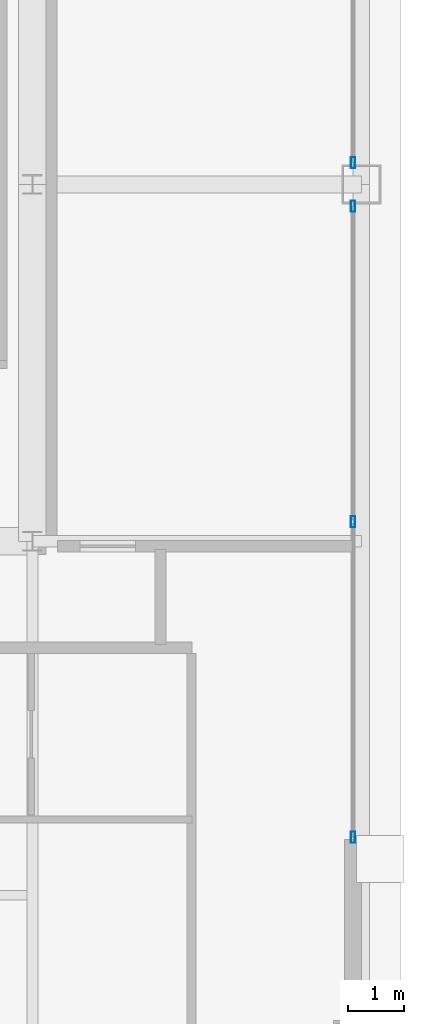
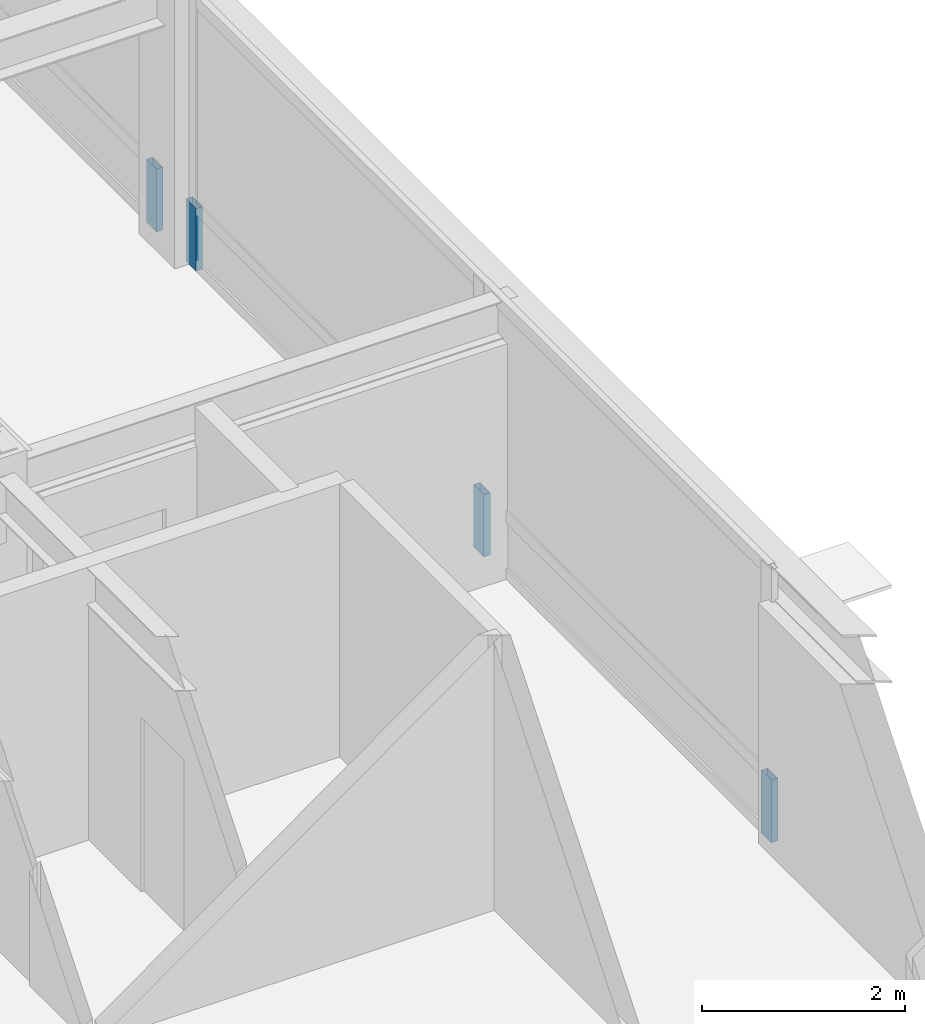
# One storey, part 25 of 35: 4 members, 2 elements without a shape of their own.
"""IFC4 building model written with IfcOpenShell, lengths in metres."""

import ifcopenshell
import ifcopenshell.guid

model = None  # the IFC model being written
_history = None  # IfcOwnerHistory: only IFC2X3 demands one
_inside = {}  # id of a spatial element -> (the spatial element, [elements in it])
_under = {}  # id of a project, library or spatial element -> (it, [spatial elements below it])
_declared = {}  # id of a project -> (the project, [libraries it declares])
_typed = {}  # id of a type object -> (the type object, [elements of that type])
_made_of = {}  # id of a material, layer set ... -> (it, [elements and type objects made of it])


def new_model(schema):
    """Start an empty IFC model of exactly this schema.

    Asked for "IFC4X3", IfcOpenShell would pick the latest addendum, in which some entities
    have other attributes; the version numbers below select the first issue.
    IFC2X3 requires an IfcOwnerHistory on every rooted entity: one is made here for all.
    """
    global model, _history
    if schema == "IFC4X3":
        model = ifcopenshell.file(schema_version=(4, 3, 0, 0))
    else:
        model = ifcopenshell.file(schema=schema)
    _inside.clear()
    _under.clear()
    _declared.clear()
    _typed.clear()
    _made_of.clear()
    _history = None
    if model.schema == "IFC2X3":
        org = make("IfcOrganization", Name="unknown")
        user = make(
            "IfcPersonAndOrganization",
            ThePerson=make("IfcPerson", FamilyName="unknown"),
            TheOrganization=org,
        )
        app = make(
            "IfcApplication",
            ApplicationDeveloper=org,
            Version="unknown",
            ApplicationFullName="unknown",
            ApplicationIdentifier="unknown",
        )
        _history = make(
            "IfcOwnerHistory",
            OwningUser=user,
            OwningApplication=app,
            ChangeAction="ADDED",
            CreationDate=0,
        )
    return model


def make(cls, **values):
    """One entity of the class cls with the attributes given. An attribute that is None is left unset."""
    return model.create_entity(
        cls, **{name: value for name, value in values.items() if value is not None}
    )


def rooted(cls, **values):
    """An entity with a GlobalId (a new one), such as an element, a storey or a relation."""
    return make(cls, GlobalId=ifcopenshell.guid.new(), OwnerHistory=_history, **values)


def si_unit(unit_type, name, prefix=None):
    """IfcSIUnit, for example si_unit("LENGTHUNIT", "METRE", prefix="MILLI")."""
    return make("IfcSIUnit", UnitType=unit_type, Prefix=prefix, Name=name)


def assignment(units):
    """IfcUnitAssignment: the units of a project."""
    return None if units is None else make("IfcUnitAssignment", Units=units)


def point(xyz):
    """IfcCartesianPoint."""
    return None if xyz is None else make("IfcCartesianPoint", Coordinates=xyz)


def direction(xyz):
    """IfcDirection."""
    return None if xyz is None else make("IfcDirection", DirectionRatios=xyz)


def frame(location, z_axis=None, x_axis=None):
    """IfcAxis2Placement3D, a coordinate frame: its origin and axes. An axis left out is left unset."""
    return make(
        "IfcAxis2Placement3D",
        Location=point(location),
        Axis=direction(z_axis),
        RefDirection=direction(x_axis),
    )


def frame_2d(location, x_axis=None):
    """IfcAxis2Placement2D, a coordinate frame in the plane: its origin and x axis."""
    return make(
        "IfcAxis2Placement2D", Location=point(location), RefDirection=direction(x_axis)
    )


def origin():
    """The frame at (0, 0, 0) with its axes left unset."""
    return frame((0.0, 0.0, 0.0))


def origin_2d():
    """The frame at (0, 0) in the plane with its x axis left unset."""
    return frame_2d((0.0, 0.0))


def place(relative_to, where):
    """IfcLocalPlacement: puts the frame where relative to a parent placement (None: the world)."""
    return make(
        "IfcLocalPlacement", PlacementRelTo=relative_to, RelativePlacement=where
    )


def context(
    kind, dimensions, precision=None, world=None, true_north=None, identifier=None
):
    """IfcGeometricRepresentationContext, for example the 3D "Model" context."""
    return make(
        "IfcGeometricRepresentationContext",
        ContextIdentifier=identifier,
        ContextType=kind,
        CoordinateSpaceDimension=dimensions,
        Precision=precision,
        WorldCoordinateSystem=world,
        TrueNorth=true_north,
    )


def subcontext(parent, identifier, kind, view, scale=None):
    """IfcGeometricRepresentationSubContext, for example "Body" below "Model"."""
    return make(
        "IfcGeometricRepresentationSubContext",
        ContextIdentifier=identifier,
        ContextType=kind,
        ParentContext=parent,
        TargetScale=scale,
        TargetView=view,
    )


def project(units=None, contexts=None):
    """IfcProject with its units and contexts."""
    return rooted(
        "IfcProject",
        Name="project",
        RepresentationContexts=contexts,
        UnitsInContext=assignment(units),
    )


def spatial(cls, under=None, at=None, **own):
    """A site, building, storey or space (cls), placed at a placement, below another one or the project."""
    s = rooted(cls, ObjectPlacement=at, **own)
    if under is not None:
        _under.setdefault(under.id(), (under, []))[1].append(s)
    return s


def profile(cls, at=None, kind="AREA", **sizes):
    """A parametric profile (cls). Its sizes go by their IFC names, for example OverallWidth=200.0."""
    return make(cls, ProfileType=kind, Position=at, **sizes)


def hollow_rectangle(**sizes):
    """IfcRectangleHollowProfileDef."""
    return profile("IfcRectangleHollowProfileDef", **sizes)


def extrude(swept, where, along, depth):
    """IfcExtrudedAreaSolid: the profile swept, set in the frame where, extruded along a direction by depth."""
    return make(
        "IfcExtrudedAreaSolid",
        SweptArea=swept,
        Position=where,
        ExtrudedDirection=direction(along),
        Depth=depth,
    )


def shape(context_of_items, identifier, shape_type, items):
    """IfcShapeRepresentation: the items that make up one representation, for example the "Body"."""
    return make(
        "IfcShapeRepresentation",
        ContextOfItems=context_of_items,
        RepresentationIdentifier=identifier,
        RepresentationType=shape_type,
        Items=items,
    )


def source(mapping_origin, context_of_items, identifier, shape_type, items):
    """IfcRepresentationMap: a shape defined once, which mapped items show again and again."""
    return make(
        "IfcRepresentationMap",
        MappingOrigin=mapping_origin,
        MappedRepresentation=shape(context_of_items, identifier, shape_type, items),
    )


def transform(
    local_origin,
    x_axis=None,
    y_axis=None,
    z_axis=None,
    scale=None,
    scale2=None,
    scale3=None,
    uniform=True,
):
    """IfcCartesianTransformationOperator3D, or its non-uniform kind. x_axis, y_axis, z_axis: its Axis1, 2, 3."""
    if uniform:
        return make(
            "IfcCartesianTransformationOperator3D",
            Axis1=direction(x_axis),
            Axis2=direction(y_axis),
            LocalOrigin=point(local_origin),
            Scale=scale,
            Axis3=direction(z_axis),
        )
    return make(
        "IfcCartesianTransformationOperator3DnonUniform",
        Axis1=direction(x_axis),
        Axis2=direction(y_axis),
        LocalOrigin=point(local_origin),
        Scale=scale,
        Axis3=direction(z_axis),
        Scale2=scale2,
        Scale3=scale3,
    )


def mapped(mapping_source, mapping_target):
    """IfcMappedItem: shows the shape of a source again, moved by a transform."""
    return make(
        "IfcMappedItem", MappingSource=mapping_source, MappingTarget=mapping_target
    )


def material(Name=None, Category=None):
    """IfcMaterial."""
    return make("IfcMaterial", Name=Name, Category=Category)


def layer(
    of_material, thickness, ventilated=None, Name=None, Category=None, Priority=None
):
    """IfcMaterialLayer: one layer of a wall or slab, of a material (None: an air gap)."""
    return make(
        "IfcMaterialLayer",
        Material=of_material,
        LayerThickness=thickness,
        IsVentilated=ventilated,
        Name=Name,
        Category=Category,
        Priority=Priority,
    )


def layer_set(layers, Name=None):
    """IfcMaterialLayerSet."""
    return make("IfcMaterialLayerSet", MaterialLayers=layers, LayerSetName=Name)


def material_profile(
    of_material, cross_section, Name=None, Category=None, Priority=None
):
    """IfcMaterialProfile: a cross section and its material."""
    return make(
        "IfcMaterialProfile",
        Name=Name,
        Material=of_material,
        Profile=cross_section,
        Priority=Priority,
        Category=Category,
    )


def profile_set(profiles, Name=None, composite=None):
    """IfcMaterialProfileSet."""
    return make(
        "IfcMaterialProfileSet",
        Name=Name,
        MaterialProfiles=profiles,
        CompositeProfile=composite,
    )


def made_of(thing, what):
    """Note that an element or type object is made of a material, layer set ...; save() writes the relation."""
    if what is not None:
        _made_of.setdefault(what.id(), (what, []))[1].append(thing)
    return thing


def type_object(cls, material=None, **own):
    """A type object (cls), such as IfcWallType, which elements share."""
    return made_of(rooted(cls, **own), material)


def element(
    cls,
    number,
    at=None,
    inside=None,
    cuts=None,
    type_object=None,
    material=None,
    context=None,
    identifier="Body",
    shape_type=None,
    held_by="IfcProductDefinitionShape",
    body=None,
    shapes=None,
    **own,
):
    """One element of the class cls, such as IfcWall. Its Tag is "e" and its number.

    at: its placement. inside: the storey or other place that contains it. cuts: it is an
    opening in that element (IfcRelVoidsElement). A single representation is given by context,
    identifier, shape_type and body (its items); several are given by shapes. held_by: the class
    of the entity that holds the representations. save() writes the other relations.
    """
    e = rooted(cls, Tag="e%d" % number, ObjectPlacement=at, **own)
    if body is not None:
        shapes = [shape(context, identifier, shape_type, body)]
    if shapes is not None:
        e.Representation = make(held_by, Representations=shapes)
    if inside is not None:
        _inside.setdefault(inside.id(), (inside, []))[1].append(e)
    if cuts is not None:
        rooted(
            "IfcRelVoidsElement", RelatingBuildingElement=cuts, RelatedOpeningElement=e
        )
    if type_object is not None:
        _typed.setdefault(type_object.id(), (type_object, []))[1].append(e)
    return made_of(e, material)


def aggregate(whole, parts):
    """IfcRelAggregates: a whole, such as a stair, and the parts it consists of."""
    return rooted("IfcRelAggregates", RelatingObject=whole, RelatedObjects=parts)


def save(model, path):
    """Write the relations noted so far, then the file.

    IfcRelAggregates (storeys below a building ...), IfcRelContainedInSpatialStructure (elements
    in a storey), IfcRelDefinesByType, IfcRelAssociatesMaterial and IfcRelDeclares: one each for
    every whole, place, type object, material and project.
    """
    for whole, parts in _under.values():
        aggregate(whole, parts)
    for where, things in _inside.values():
        rooted(
            "IfcRelContainedInSpatialStructure",
            RelatedElements=things,
            RelatingStructure=where,
        )
    for kind, things in _typed.values():
        rooted("IfcRelDefinesByType", RelatedObjects=things, RelatingType=kind)
    for what, things in _made_of.values():
        rooted("IfcRelAssociatesMaterial", RelatedObjects=things, RelatingMaterial=what)
    for by, libraries in _declared.values():
        rooted("IfcRelDeclares", RelatingContext=by, RelatedDefinitions=libraries)
    model.write(path)


model = new_model("IFC4")

# Units and contexts
model_context = context("Model", 3, precision=1e-05, world=origin(), true_north=direction((0.0, 1.0)))
body_context = subcontext(model_context, "Body", "Model", "MODEL_VIEW")
ifc_project = project(units=[si_unit("LENGTHUNIT", "METRE"), si_unit("AREAUNIT", "SQUARE_METRE"), si_unit("VOLUMEUNIT", "CUBIC_METRE"), si_unit("PLANEANGLEUNIT", "RADIAN"), si_unit("MASSUNIT", "GRAM", prefix="KILO"), si_unit("THERMODYNAMICTEMPERATUREUNIT", "KELVIN"), si_unit("POWERUNIT", "WATT")], contexts=[model_context])

# Site, building, storey
site_placement = place(None, origin())
site = spatial("IfcSite", under=ifc_project, at=site_placement, CompositionType="ELEMENT")
building_placement = place(site_placement, origin())
building = spatial("IfcBuilding", under=site, at=building_placement, Name="Yuzanri Waterfront Tower", CompositionType="ELEMENT")
storey_placement = place(building_placement, frame((0.0, 0.0, 311.199951171875)))
storey = spatial("IfcBuildingStorey", under=building, at=storey_placement, Name="L83", CompositionType="ELEMENT", Elevation=311.199951171875)

# Curtain wall, members
ifc_material_1 = material(Name="Anodized Architectural Bronze", Category="metal")
ifc_layer = layer(ifc_material_1, 0.159912109375)
ifc_layer_set = layer_set([ifc_layer], Name="Anodized Architectural Bronze")
curtain_wall_type = type_object("IfcCurtainWallType", Name="Anodized Bronze High-Rise Penthouse High-Wind Unitized Curtain Wall 6900", PredefinedType="NOTDEFINED", material=ifc_layer_set)
curtain_wall_1_placement = place(storey_placement, origin())
curtain_wall_1 = element("IfcCurtainWall", 1, at=curtain_wall_1_placement, inside=storey, type_object=curtain_wall_type, Name="L83 Curtain Wall CW-L83-EL", PredefinedType="NOTDEFINED")
ifc_material_2 = material(Name="Anodized Architectural Bronze", Category="metal")
ifc_material_profile = material_profile(ifc_material_2, hollow_rectangle(XDim=0.074951171875, YDim=0.199951171875, WallThickness=0.00390625, at=origin_2d()), Name="CWM 75x200")
ifc_profile_set = profile_set([ifc_material_profile], Name="Anodized Architectural Bronze")
member_type = type_object("IfcMemberType", Name="Anodized Bronze Primary Curtain-Wall Mullion 75x200", PredefinedType="MULLION", material=ifc_profile_set)
shared_shape = source(origin(), body_context, "Body", "SweptSolid", [
    extrude(hollow_rectangle(XDim=0.074951171875, YDim=0.199951171875, WallThickness=0.00390625, at=origin_2d()), origin(), (0.0, 0.0, 1.0), 0.751953125),
])
member_1_placement = place(storey_placement, frame((55.949951171875, 14.090087890625, 0.0), z_axis=(0.0, 0.0, 1.0), x_axis=(1.0, 0.0, 0.0)))
member_1 = element("IfcMember", 2, at=member_1_placement, type_object=member_type, Name="CW-L83-EL Lower Mullion 00", PredefinedType="MULLION", context=body_context, shape_type="MappedRepresentation", body=[
    mapped(shared_shape, transform((0.0, 0.0, 0.0), scale=1.0)),
])
member_2_placement = place(storey_placement, frame((55.949951171875, 19.75, 0.0), z_axis=(0.0, 0.0, 1.0), x_axis=(1.0, 0.0, 0.0)))
member_2 = element("IfcMember", 3, at=member_2_placement, type_object=member_type, Name="CW-L83-EL Lower Mullion 01", PredefinedType="MULLION", context=body_context, shape_type="MappedRepresentation", body=[
    mapped(shared_shape, transform((0.0, 0.0, 0.0), scale=1.0)),
])
member_3_placement = place(storey_placement, frame((55.949951171875, 25.409912109375, 0.0), z_axis=(0.0, 0.0, 1.0), x_axis=(1.0, 0.0, 0.0)))
member_3 = element("IfcMember", 4, at=member_3_placement, type_object=member_type, Name="CW-L83-EL Lower Mullion 02", PredefinedType="MULLION", context=body_context, shape_type="MappedRepresentation", body=[
    mapped(shared_shape, transform((0.0, 0.0, 0.0), scale=1.0)),
])
aggregate(curtain_wall_1, [member_1, member_2, member_3])

# Curtain wall, member
curtain_wall_2_placement = place(storey_placement, origin())
curtain_wall_2 = element("IfcCurtainWall", 5, at=curtain_wall_2_placement, inside=storey, type_object=curtain_wall_type, Name="L83 Curtain Wall CW-L83-ER", PredefinedType="NOTDEFINED")
member_4_placement = place(storey_placement, frame((55.949951171875, 26.18994140625, 0.0), z_axis=(0.0, 0.0, 1.0), x_axis=(1.0, 0.0, 0.0)))
member_4 = element("IfcMember", 6, at=member_4_placement, type_object=member_type, Name="CW-L83-ER Lower Mullion 00", PredefinedType="MULLION", context=body_context, shape_type="MappedRepresentation", body=[
    mapped(shared_shape, transform((0.0, 0.0, 0.0), scale=1.0)),
])
aggregate(curtain_wall_2, [member_4])

save(model, "model.ifc")
